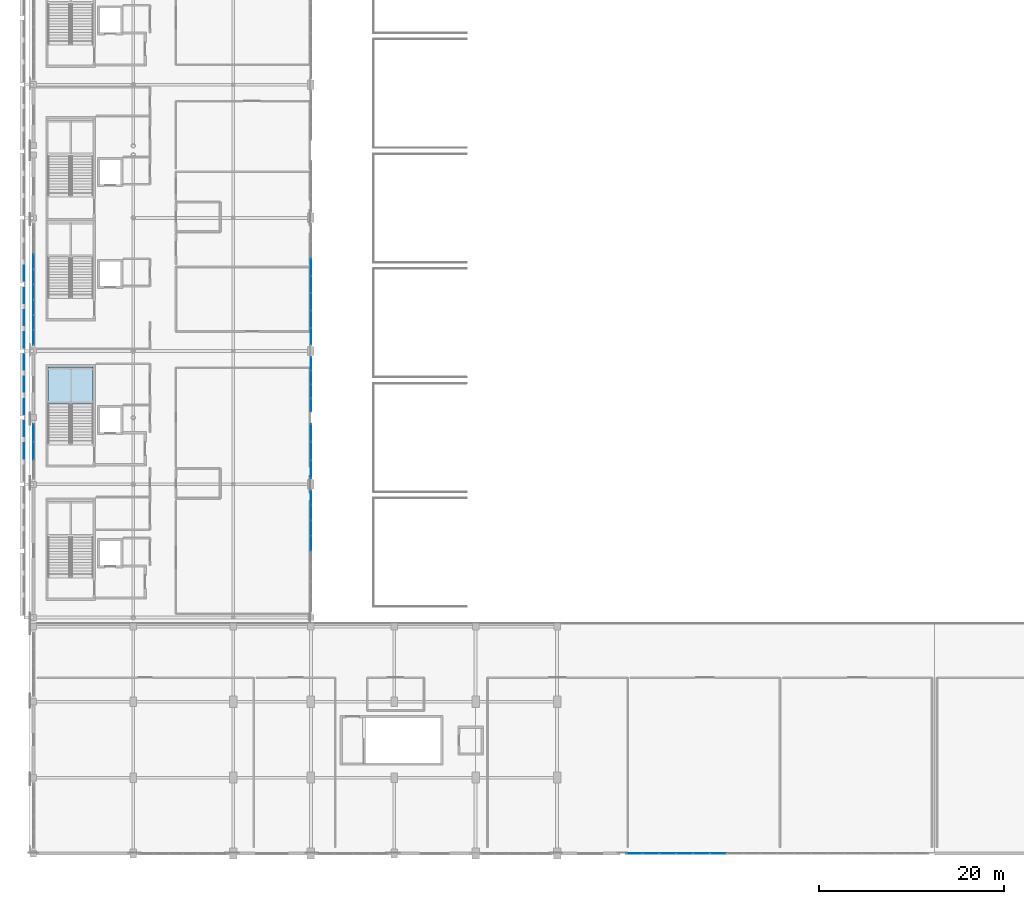
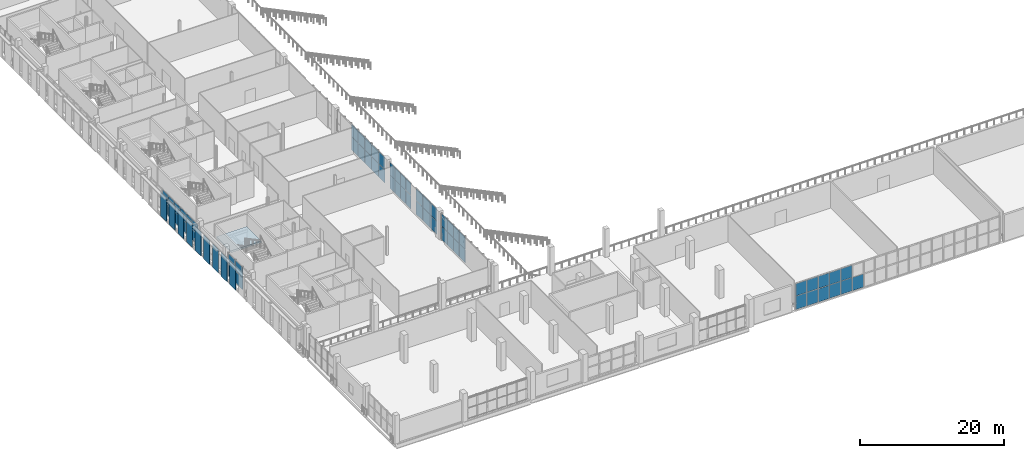
# One storey, part 53 of 104: 68 plates, 1 slab, 8 elements without a shape of their own.
"""IFC4 building model written with IfcOpenShell, lengths in metres."""

from ifc_helpers import new_model, si_unit, direction, frame, origin, origin_2d, place, context, subcontext, project, spatial, polyline, rectangle, outline, extrude, material, layer, layer_set, type_object, element, aggregate, save


model = new_model("IFC4")

# Units and contexts
model_context = context("Model", 3, precision=1e-05, world=origin(), true_north=direction((0.0, 1.0)))
body_context = subcontext(model_context, "Body", "Model", "MODEL_VIEW")
ifc_project = project(units=[si_unit("LENGTHUNIT", "METRE"), si_unit("AREAUNIT", "SQUARE_METRE"), si_unit("VOLUMEUNIT", "CUBIC_METRE"), si_unit("PLANEANGLEUNIT", "RADIAN"), si_unit("MASSUNIT", "GRAM", prefix="KILO")], contexts=[model_context])

# Site, building, storey
site_placement = place(None, origin())
site = spatial("IfcSite", under=ifc_project, at=site_placement, CompositionType="ELEMENT")
building_placement = place(site_placement, origin())
building = spatial("IfcBuilding", under=site, at=building_placement, Name="Koshinbarg Plaza Stadium", CompositionType="ELEMENT")
storey_placement = place(building_placement, frame((0.0, 0.0, 19.800048828125)))
storey = spatial("IfcBuildingStorey", under=building, at=storey_placement, Name="L04", CompositionType="ELEMENT", Elevation=19.800048828125)

# Curtain wall, plates
ifc_material_1 = material(Name="Thermally broken anodised aluminium and low-E double glazing", Category="aluminium")
curtain_wall_type_1 = type_object("IfcCurtainWallType", Name="CW-SYS-15", PredefinedType="NOTDEFINED", material=ifc_material_1)
curtain_wall_1_placement = place(storey_placement, origin())
curtain_wall_1 = element("IfcCurtainWall", 1, at=curtain_wall_1_placement, inside=storey, type_object=curtain_wall_type_1, Name="L04 unitised curtain wall CW-L04-094", PredefinedType="NOTDEFINED")
ifc_material_2 = material(Name="Solar-control low-E double glazing unit", Category="glass")
ifc_layer_1 = layer(ifc_material_2, 0.028076171875)
ifc_layer_set_1 = layer_set([ifc_layer_1], Name="Solar-control low-E double glazing unit")
plate_type_1 = type_object("IfcPlateType", Name="CW-PNL-28", PredefinedType="CURTAIN_PANEL", material=ifc_layer_set_1)
plate_1_placement = place(storey_placement, frame((24.60009765625, 55.757568359375, 0.06005859375), z_axis=(0.0, 0.0, 1.0), x_axis=(0.0, 1.0, 0.0)))
plate_1 = element("IfcPlate", 2, at=plate_1_placement, type_object=plate_type_1, Name="CW15 panel 1.1", PredefinedType="CURTAIN_PANEL", context=body_context, shape_type="SweptSolid", body=[
    extrude(rectangle(XDim=1.554931640625, YDim=0.028076171875, at=origin_2d()), origin(), (0.0, 0.0, 1.0), 1.771484375),
])
plate_2_placement = place(storey_placement, frame((24.60009765625, 55.757568359375, 1.8916015625), z_axis=(0.0, 0.0, 1.0), x_axis=(0.0, 1.0, 0.0)))
plate_2 = element("IfcPlate", 3, at=plate_2_placement, type_object=plate_type_1, Name="CW15 panel 1.2", PredefinedType="CURTAIN_PANEL", context=body_context, shape_type="SweptSolid", body=[
    extrude(rectangle(XDim=1.554931640625, YDim=0.028076171875, at=origin_2d()), origin(), (0.0, 0.0, 1.0), 1.62841796875),
])
plate_3_placement = place(storey_placement, frame((24.60009765625, 57.387451171875, 0.06005859375), z_axis=(0.0, 0.0, 1.0), x_axis=(0.0, 1.0, 0.0)))
plate_3 = element("IfcPlate", 4, at=plate_3_placement, type_object=plate_type_1, Name="CW15 panel 2.1", PredefinedType="CURTAIN_PANEL", context=body_context, shape_type="SweptSolid", body=[
    extrude(rectangle(XDim=1.5849609375, YDim=0.028076171875, at=origin_2d()), origin(), (0.0, 0.0, 1.0), 1.771484375),
])
plate_4_placement = place(storey_placement, frame((24.60009765625, 57.387451171875, 1.8916015625), z_axis=(0.0, 0.0, 1.0), x_axis=(0.0, 1.0, 0.0)))
plate_4 = element("IfcPlate", 5, at=plate_4_placement, type_object=plate_type_1, Name="CW15 panel 2.2", PredefinedType="CURTAIN_PANEL", context=body_context, shape_type="SweptSolid", body=[
    extrude(rectangle(XDim=1.5849609375, YDim=0.028076171875, at=origin_2d()), origin(), (0.0, 0.0, 1.0), 1.62841796875),
])
plate_5_placement = place(storey_placement, frame((24.60009765625, 59.032470703125, 0.06005859375), z_axis=(0.0, 0.0, 1.0), x_axis=(0.0, 1.0, 0.0)))
plate_5 = element("IfcPlate", 6, at=plate_5_placement, type_object=plate_type_1, Name="CW15 panel 3.1", PredefinedType="CURTAIN_PANEL", context=body_context, shape_type="SweptSolid", body=[
    extrude(rectangle(XDim=1.5849609375, YDim=0.028076171875, at=origin_2d()), origin(), (0.0, 0.0, 1.0), 1.771484375),
])
plate_6_placement = place(storey_placement, frame((24.60009765625, 59.032470703125, 1.8916015625), z_axis=(0.0, 0.0, 1.0), x_axis=(0.0, 1.0, 0.0)))
plate_6 = element("IfcPlate", 7, at=plate_6_placement, type_object=plate_type_1, Name="CW15 panel 3.2", PredefinedType="CURTAIN_PANEL", context=body_context, shape_type="SweptSolid", body=[
    extrude(rectangle(XDim=1.5849609375, YDim=0.028076171875, at=origin_2d()), origin(), (0.0, 0.0, 1.0), 1.62841796875),
])
plate_7_placement = place(storey_placement, frame((24.60009765625, 60.677490234375, 0.06005859375), z_axis=(0.0, 0.0, 1.0), x_axis=(0.0, 1.0, 0.0)))
plate_7 = element("IfcPlate", 8, at=plate_7_placement, type_object=plate_type_1, Name="CW15 panel 4.1", PredefinedType="CURTAIN_PANEL", context=body_context, shape_type="SweptSolid", body=[
    extrude(rectangle(XDim=1.5849609375, YDim=0.028076171875, at=origin_2d()), origin(), (0.0, 0.0, 1.0), 1.771484375),
])
plate_8_placement = place(storey_placement, frame((24.60009765625, 60.677490234375, 1.8916015625), z_axis=(0.0, 0.0, 1.0), x_axis=(0.0, 1.0, 0.0)))
plate_8 = element("IfcPlate", 9, at=plate_8_placement, type_object=plate_type_1, Name="CW15 panel 4.2", PredefinedType="CURTAIN_PANEL", context=body_context, shape_type="SweptSolid", body=[
    extrude(rectangle(XDim=1.5849609375, YDim=0.028076171875, at=origin_2d()), origin(), (0.0, 0.0, 1.0), 1.62841796875),
])
plate_9_placement = place(storey_placement, frame((24.60009765625, 62.322509765625, 0.06005859375), z_axis=(0.0, 0.0, 1.0), x_axis=(0.0, 1.0, 0.0)))
plate_9 = element("IfcPlate", 10, at=plate_9_placement, type_object=plate_type_1, Name="CW15 panel 5.1", PredefinedType="CURTAIN_PANEL", context=body_context, shape_type="SweptSolid", body=[
    extrude(rectangle(XDim=1.5849609375, YDim=0.028076171875, at=origin_2d()), origin(), (0.0, 0.0, 1.0), 1.771484375),
])
plate_10_placement = place(storey_placement, frame((24.60009765625, 62.322509765625, 1.8916015625), z_axis=(0.0, 0.0, 1.0), x_axis=(0.0, 1.0, 0.0)))
plate_10 = element("IfcPlate", 11, at=plate_10_placement, type_object=plate_type_1, Name="CW15 panel 5.2", PredefinedType="CURTAIN_PANEL", context=body_context, shape_type="SweptSolid", body=[
    extrude(rectangle(XDim=1.5849609375, YDim=0.028076171875, at=origin_2d()), origin(), (0.0, 0.0, 1.0), 1.62841796875),
])
plate_11_placement = place(storey_placement, frame((24.60009765625, 63.967529296875, 0.06005859375), z_axis=(0.0, 0.0, 1.0), x_axis=(0.0, 1.0, 0.0)))
plate_11 = element("IfcPlate", 12, at=plate_11_placement, type_object=plate_type_1, Name="CW15 panel 6.1", PredefinedType="CURTAIN_PANEL", context=body_context, shape_type="SweptSolid", body=[
    extrude(rectangle(XDim=1.5849609375, YDim=0.028076171875, at=origin_2d()), origin(), (0.0, 0.0, 1.0), 1.771484375),
])
plate_12_placement = place(storey_placement, frame((24.60009765625, 63.967529296875, 1.8916015625), z_axis=(0.0, 0.0, 1.0), x_axis=(0.0, 1.0, 0.0)))
plate_12 = element("IfcPlate", 13, at=plate_12_placement, type_object=plate_type_1, Name="CW15 panel 6.2", PredefinedType="CURTAIN_PANEL", context=body_context, shape_type="SweptSolid", body=[
    extrude(rectangle(XDim=1.5849609375, YDim=0.028076171875, at=origin_2d()), origin(), (0.0, 0.0, 1.0), 1.62841796875),
])
aggregate(curtain_wall_1, [plate_1, plate_2, plate_3, plate_4, plate_5, plate_6, plate_7, plate_8, plate_9, plate_10, plate_11, plate_12])

curtain_wall_type_2 = type_object("IfcCurtainWallType", Name="CW-SYS-07", PredefinedType="NOTDEFINED", material=ifc_material_1)
curtain_wall_2_placement = place(storey_placement, origin())
curtain_wall_2 = element("IfcCurtainWall", 14, at=curtain_wall_2_placement, inside=storey, type_object=curtain_wall_type_2, Name="L04 unitised curtain wall CW-L04-118", PredefinedType="NOTDEFINED")
plate_13_placement = place(storey_placement, frame((54.60009765625, 52.919921875, 0.06005859375), z_axis=(0.0, 0.0, 1.0), x_axis=(0.0, -1.0, 0.0)))
plate_13 = element("IfcPlate", 15, at=plate_13_placement, type_object=plate_type_1, Name="CW07 panel 1.1", PredefinedType="CURTAIN_PANEL", context=body_context, shape_type="SweptSolid", body=[
    extrude(rectangle(XDim=1.39990234375, YDim=0.028076171875, at=origin_2d()), origin(), (0.0, 0.0, 1.0), 2.239501953125),
])
plate_14_placement = place(storey_placement, frame((54.60009765625, 52.919921875, 2.359375), z_axis=(0.0, 0.0, 1.0), x_axis=(0.0, -1.0, 0.0)))
plate_14 = element("IfcPlate", 16, at=plate_14_placement, type_object=plate_type_1, Name="CW07 panel 1.2", PredefinedType="CURTAIN_PANEL", context=body_context, shape_type="SweptSolid", body=[
    extrude(rectangle(XDim=1.39990234375, YDim=0.028076171875, at=origin_2d()), origin(), (0.0, 0.0, 1.0), 2.060302734375),
])
plate_15_placement = place(storey_placement, frame((54.60009765625, 51.445068359375, 0.06005859375), z_axis=(0.0, 0.0, 1.0), x_axis=(0.0, -1.0, 0.0)))
plate_15 = element("IfcPlate", 17, at=plate_15_placement, type_object=plate_type_1, Name="CW07 panel 2.1", PredefinedType="CURTAIN_PANEL", context=body_context, shape_type="SweptSolid", body=[
    extrude(rectangle(XDim=1.429931640625, YDim=0.028076171875, at=origin_2d()), origin(), (0.0, 0.0, 1.0), 2.239501953125),
])
plate_16_placement = place(storey_placement, frame((54.60009765625, 51.445068359375, 2.359375), z_axis=(0.0, 0.0, 1.0), x_axis=(0.0, -1.0, 0.0)))
plate_16 = element("IfcPlate", 18, at=plate_16_placement, type_object=plate_type_1, Name="CW07 panel 2.2", PredefinedType="CURTAIN_PANEL", context=body_context, shape_type="SweptSolid", body=[
    extrude(rectangle(XDim=1.429931640625, YDim=0.028076171875, at=origin_2d()), origin(), (0.0, 0.0, 1.0), 2.060302734375),
])
plate_17_placement = place(storey_placement, frame((54.60009765625, 49.955078125, 0.06005859375), z_axis=(0.0, 0.0, 1.0), x_axis=(0.0, -1.0, 0.0)))
plate_17 = element("IfcPlate", 19, at=plate_17_placement, type_object=plate_type_1, Name="CW07 panel 3.1", PredefinedType="CURTAIN_PANEL", context=body_context, shape_type="SweptSolid", body=[
    extrude(rectangle(XDim=1.429931640625, YDim=0.028076171875, at=origin_2d()), origin(), (0.0, 0.0, 1.0), 2.239501953125),
])
plate_18_placement = place(storey_placement, frame((54.60009765625, 49.955078125, 2.359375), z_axis=(0.0, 0.0, 1.0), x_axis=(0.0, -1.0, 0.0)))
plate_18 = element("IfcPlate", 20, at=plate_18_placement, type_object=plate_type_1, Name="CW07 panel 3.2", PredefinedType="CURTAIN_PANEL", context=body_context, shape_type="SweptSolid", body=[
    extrude(rectangle(XDim=1.429931640625, YDim=0.028076171875, at=origin_2d()), origin(), (0.0, 0.0, 1.0), 2.060302734375),
])
plate_19_placement = place(storey_placement, frame((54.60009765625, 48.47998046875, 0.06005859375), z_axis=(0.0, 0.0, 1.0), x_axis=(0.0, -1.0, 0.0)))
plate_19 = element("IfcPlate", 21, at=plate_19_placement, type_object=plate_type_1, Name="CW07 panel 4.1", PredefinedType="CURTAIN_PANEL", context=body_context, shape_type="SweptSolid", body=[
    extrude(rectangle(XDim=1.39990234375, YDim=0.028076171875, at=origin_2d()), origin(), (0.0, 0.0, 1.0), 2.239501953125),
])
plate_20_placement = place(storey_placement, frame((54.60009765625, 48.47998046875, 2.359375), z_axis=(0.0, 0.0, 1.0), x_axis=(0.0, -1.0, 0.0)))
plate_20 = element("IfcPlate", 22, at=plate_20_placement, type_object=plate_type_1, Name="CW07 panel 4.2", PredefinedType="CURTAIN_PANEL", context=body_context, shape_type="SweptSolid", body=[
    extrude(rectangle(XDim=1.39990234375, YDim=0.028076171875, at=origin_2d()), origin(), (0.0, 0.0, 1.0), 2.060302734375),
])
aggregate(curtain_wall_2, [plate_13, plate_14, plate_15, plate_16, plate_17, plate_18, plate_19, plate_20])

curtain_wall_type_3 = type_object("IfcCurtainWallType", Name="CW-SYS-09", PredefinedType="NOTDEFINED", material=ifc_material_1)
curtain_wall_3_placement = place(storey_placement, origin())
curtain_wall_3 = element("IfcCurtainWall", 23, at=curtain_wall_3_placement, inside=storey, type_object=curtain_wall_type_3, Name="L04 unitised curtain wall CW-L04-120", PredefinedType="NOTDEFINED")
plate_21_placement = place(storey_placement, frame((54.60009765625, 38.4423828125, 0.06005859375), z_axis=(0.0, 0.0, 1.0), x_axis=(0.0, -1.0, 0.0)))
plate_21 = element("IfcPlate", 24, at=plate_21_placement, type_object=plate_type_1, Name="CW09 panel 1.1", PredefinedType="CURTAIN_PANEL", context=body_context, shape_type="SweptSolid", body=[
    extrude(rectangle(XDim=1.554931640625, YDim=0.028076171875, at=origin_2d()), origin(), (0.0, 0.0, 1.0), 2.239501953125),
])
plate_22_placement = place(storey_placement, frame((54.60009765625, 38.4423828125, 2.359375), z_axis=(0.0, 0.0, 1.0), x_axis=(0.0, -1.0, 0.0)))
plate_22 = element("IfcPlate", 25, at=plate_22_placement, type_object=plate_type_1, Name="CW09 panel 1.2", PredefinedType="CURTAIN_PANEL", context=body_context, shape_type="SweptSolid", body=[
    extrude(rectangle(XDim=1.554931640625, YDim=0.028076171875, at=origin_2d()), origin(), (0.0, 0.0, 1.0), 2.060302734375),
])
plate_23_placement = place(storey_placement, frame((54.60009765625, 36.8125, 0.06005859375), z_axis=(0.0, 0.0, 1.0), x_axis=(0.0, -1.0, 0.0)))
plate_23 = element("IfcPlate", 26, at=plate_23_placement, type_object=plate_type_1, Name="CW09 panel 2.1", PredefinedType="CURTAIN_PANEL", context=body_context, shape_type="SweptSolid", body=[
    extrude(rectangle(XDim=1.5849609375, YDim=0.028076171875, at=origin_2d()), origin(), (0.0, 0.0, 1.0), 2.239501953125),
])
plate_24_placement = place(storey_placement, frame((54.60009765625, 36.8125, 2.359375), z_axis=(0.0, 0.0, 1.0), x_axis=(0.0, -1.0, 0.0)))
plate_24 = element("IfcPlate", 27, at=plate_24_placement, type_object=plate_type_1, Name="CW09 panel 2.2", PredefinedType="CURTAIN_PANEL", context=body_context, shape_type="SweptSolid", body=[
    extrude(rectangle(XDim=1.5849609375, YDim=0.028076171875, at=origin_2d()), origin(), (0.0, 0.0, 1.0), 2.060302734375),
])
plate_25_placement = place(storey_placement, frame((54.60009765625, 35.16748046875, 0.06005859375), z_axis=(0.0, 0.0, 1.0), x_axis=(0.0, -1.0, 0.0)))
plate_25 = element("IfcPlate", 28, at=plate_25_placement, type_object=plate_type_1, Name="CW09 panel 3.1", PredefinedType="CURTAIN_PANEL", context=body_context, shape_type="SweptSolid", body=[
    extrude(rectangle(XDim=1.5849609375, YDim=0.028076171875, at=origin_2d()), origin(), (0.0, 0.0, 1.0), 2.239501953125),
])
plate_26_placement = place(storey_placement, frame((54.60009765625, 35.16748046875, 2.359375), z_axis=(0.0, 0.0, 1.0), x_axis=(0.0, -1.0, 0.0)))
plate_26 = element("IfcPlate", 29, at=plate_26_placement, type_object=plate_type_1, Name="CW09 panel 3.2", PredefinedType="CURTAIN_PANEL", context=body_context, shape_type="SweptSolid", body=[
    extrude(rectangle(XDim=1.5849609375, YDim=0.028076171875, at=origin_2d()), origin(), (0.0, 0.0, 1.0), 2.060302734375),
])
plate_27_placement = place(storey_placement, frame((54.60009765625, 33.5224609375, 0.06005859375), z_axis=(0.0, 0.0, 1.0), x_axis=(0.0, -1.0, 0.0)))
plate_27 = element("IfcPlate", 30, at=plate_27_placement, type_object=plate_type_1, Name="CW09 panel 4.1", PredefinedType="CURTAIN_PANEL", context=body_context, shape_type="SweptSolid", body=[
    extrude(rectangle(XDim=1.5849609375, YDim=0.028076171875, at=origin_2d()), origin(), (0.0, 0.0, 1.0), 2.239501953125),
])
plate_28_placement = place(storey_placement, frame((54.60009765625, 33.5224609375, 2.359375), z_axis=(0.0, 0.0, 1.0), x_axis=(0.0, -1.0, 0.0)))
plate_28 = element("IfcPlate", 31, at=plate_28_placement, type_object=plate_type_1, Name="CW09 panel 4.2", PredefinedType="CURTAIN_PANEL", context=body_context, shape_type="SweptSolid", body=[
    extrude(rectangle(XDim=1.5849609375, YDim=0.028076171875, at=origin_2d()), origin(), (0.0, 0.0, 1.0), 2.060302734375),
])
aggregate(curtain_wall_3, [plate_21, plate_22, plate_23, plate_24, plate_25, plate_26, plate_27, plate_28])

curtain_wall_type_4 = type_object("IfcCurtainWallType", Name="CW-SYS-14", PredefinedType="NOTDEFINED", material=ifc_material_1)
curtain_wall_4_placement = place(storey_placement, origin())
curtain_wall_4 = element("IfcCurtainWall", 32, at=curtain_wall_4_placement, inside=storey, type_object=curtain_wall_type_4, Name="L04 unitised curtain wall CW-L04-093", PredefinedType="NOTDEFINED")
ifc_material_3 = material(Name="Acoustic solar-control double glazing unit", Category="glass")
ifc_layer_2 = layer(ifc_material_3, 0.031982421875)
ifc_layer_set_2 = layer_set([ifc_layer_2], Name="Acoustic solar-control double glazing unit")
plate_type_2 = type_object("IfcPlateType", Name="CW-PNL-32", PredefinedType="CURTAIN_PANEL", material=ifc_layer_set_2)
plate_29_placement = place(storey_placement, frame((24.60009765625, 43.5, 0.06005859375), z_axis=(0.0, 0.0, 1.0), x_axis=(0.0, 1.0, 0.0)))
plate_29 = element("IfcPlate", 33, at=plate_29_placement, type_object=plate_type_2, Name="CW14 panel 2.1", PredefinedType="CURTAIN_PANEL", context=body_context, shape_type="SweptSolid", body=[
    extrude(rectangle(XDim=1.9267578125, YDim=0.031982421875, at=origin_2d()), origin(), (0.0, 0.0, 1.0), 1.927490234375),
])
plate_30_placement = place(storey_placement, frame((24.60009765625, 43.5, 2.047607421875), z_axis=(0.0, 0.0, 1.0), x_axis=(0.0, 1.0, 0.0)))
plate_30 = element("IfcPlate", 34, at=plate_30_placement, type_object=plate_type_2, Name="CW14 panel 2.2", PredefinedType="CURTAIN_PANEL", context=body_context, shape_type="SweptSolid", body=[
    extrude(rectangle(XDim=1.9267578125, YDim=0.031982421875, at=origin_2d()), origin(), (0.0, 0.0, 1.0), 1.7724609375),
])
plate_31_placement = place(storey_placement, frame((24.60009765625, 45.4716796875, 0.06005859375), z_axis=(0.0, 0.0, 1.0), x_axis=(0.0, 1.0, 0.0)))
plate_31 = element("IfcPlate", 35, at=plate_31_placement, type_object=plate_type_2, Name="CW14 panel 3.1", PredefinedType="CURTAIN_PANEL", context=body_context, shape_type="SweptSolid", body=[
    extrude(rectangle(XDim=1.896728515625, YDim=0.031982421875, at=origin_2d()), origin(), (0.0, 0.0, 1.0), 1.927490234375),
])
plate_32_placement = place(storey_placement, frame((24.60009765625, 45.4716796875, 2.047607421875), z_axis=(0.0, 0.0, 1.0), x_axis=(0.0, 1.0, 0.0)))
plate_32 = element("IfcPlate", 36, at=plate_32_placement, type_object=plate_type_2, Name="CW14 panel 3.2", PredefinedType="CURTAIN_PANEL", context=body_context, shape_type="SweptSolid", body=[
    extrude(rectangle(XDim=1.896728515625, YDim=0.031982421875, at=origin_2d()), origin(), (0.0, 0.0, 1.0), 1.7724609375),
])
aggregate(curtain_wall_4, [plate_29, plate_30, plate_31, plate_32])

curtain_wall_type_5 = type_object("IfcCurtainWallType", Name="CW-SYS-12", PredefinedType="NOTDEFINED", material=ifc_material_1)
curtain_wall_5_placement = place(storey_placement, origin())
curtain_wall_5 = element("IfcCurtainWall", 37, at=curtain_wall_5_placement, inside=storey, type_object=curtain_wall_type_5, Name="L04 unitised curtain wall CW-L04-107", PredefinedType="NOTDEFINED")
plate_33_placement = place(storey_placement, frame((98.6298828125, 0.0, 0.06005859375), z_axis=(0.0, 0.0, 1.0), x_axis=(-1.0, 0.0, 0.0)))
plate_33 = element("IfcPlate", 38, at=plate_33_placement, type_object=plate_type_2, Name="CW12 panel 13.1", PredefinedType="CURTAIN_PANEL", context=body_context, shape_type="SweptSolid", body=[
    extrude(rectangle(XDim=1.760009765625, YDim=0.031982421875, at=origin_2d()), origin(), (0.0, 0.0, 1.0), 2.239501953125),
])
plate_34_placement = place(storey_placement, frame((96.81005859375, 0.0, 0.06005859375), z_axis=(0.0, 0.0, 1.0), x_axis=(-1.0, 0.0, 0.0)))
plate_34 = element("IfcPlate", 39, at=plate_34_placement, type_object=plate_type_2, Name="CW12 panel 14.1", PredefinedType="CURTAIN_PANEL", context=body_context, shape_type="SweptSolid", body=[
    extrude(rectangle(XDim=1.760009765625, YDim=0.031982421875, at=origin_2d()), origin(), (0.0, 0.0, 1.0), 2.239501953125),
])
plate_35_placement = place(storey_placement, frame((96.81005859375, 0.0, 2.359375), z_axis=(0.0, 0.0, 1.0), x_axis=(-1.0, 0.0, 0.0)))
plate_35 = element("IfcPlate", 40, at=plate_35_placement, type_object=plate_type_2, Name="CW12 panel 14.2", PredefinedType="CURTAIN_PANEL", context=body_context, shape_type="SweptSolid", body=[
    extrude(rectangle(XDim=1.760009765625, YDim=0.031982421875, at=origin_2d()), origin(), (0.0, 0.0, 1.0), 2.060302734375),
])
plate_36_placement = place(storey_placement, frame((94.989990234375, 0.0, 0.06005859375), z_axis=(0.0, 0.0, 1.0), x_axis=(-1.0, 0.0, 0.0)))
plate_36 = element("IfcPlate", 41, at=plate_36_placement, type_object=plate_type_2, Name="CW12 panel 15.1", PredefinedType="CURTAIN_PANEL", context=body_context, shape_type="SweptSolid", body=[
    extrude(rectangle(XDim=1.760009765625, YDim=0.031982421875, at=origin_2d()), origin(), (0.0, 0.0, 1.0), 2.239501953125),
])
plate_37_placement = place(storey_placement, frame((94.989990234375, 0.0, 2.359375), z_axis=(0.0, 0.0, 1.0), x_axis=(-1.0, 0.0, 0.0)))
plate_37 = element("IfcPlate", 42, at=plate_37_placement, type_object=plate_type_2, Name="CW12 panel 15.2", PredefinedType="CURTAIN_PANEL", context=body_context, shape_type="SweptSolid", body=[
    extrude(rectangle(XDim=1.760009765625, YDim=0.031982421875, at=origin_2d()), origin(), (0.0, 0.0, 1.0), 2.060302734375),
])
plate_38_placement = place(storey_placement, frame((93.169921875, 0.0, 0.06005859375), z_axis=(0.0, 0.0, 1.0), x_axis=(-1.0, 0.0, 0.0)))
plate_38 = element("IfcPlate", 43, at=plate_38_placement, type_object=plate_type_2, Name="CW12 panel 16.1", PredefinedType="CURTAIN_PANEL", context=body_context, shape_type="SweptSolid", body=[
    extrude(rectangle(XDim=1.760009765625, YDim=0.031982421875, at=origin_2d()), origin(), (0.0, 0.0, 1.0), 2.239501953125),
])
plate_39_placement = place(storey_placement, frame((93.169921875, 0.0, 2.359375), z_axis=(0.0, 0.0, 1.0), x_axis=(-1.0, 0.0, 0.0)))
plate_39 = element("IfcPlate", 44, at=plate_39_placement, type_object=plate_type_2, Name="CW12 panel 16.2", PredefinedType="CURTAIN_PANEL", context=body_context, shape_type="SweptSolid", body=[
    extrude(rectangle(XDim=1.760009765625, YDim=0.031982421875, at=origin_2d()), origin(), (0.0, 0.0, 1.0), 2.060302734375),
])
plate_40_placement = place(storey_placement, frame((91.35009765625, 0.0, 0.06005859375), z_axis=(0.0, 0.0, 1.0), x_axis=(-1.0, 0.0, 0.0)))
plate_40 = element("IfcPlate", 45, at=plate_40_placement, type_object=plate_type_2, Name="CW12 panel 17.1", PredefinedType="CURTAIN_PANEL", context=body_context, shape_type="SweptSolid", body=[
    extrude(rectangle(XDim=1.760009765625, YDim=0.031982421875, at=origin_2d()), origin(), (0.0, 0.0, 1.0), 2.239501953125),
])
plate_41_placement = place(storey_placement, frame((91.35009765625, 0.0, 2.359375), z_axis=(0.0, 0.0, 1.0), x_axis=(-1.0, 0.0, 0.0)))
plate_41 = element("IfcPlate", 46, at=plate_41_placement, type_object=plate_type_2, Name="CW12 panel 17.2", PredefinedType="CURTAIN_PANEL", context=body_context, shape_type="SweptSolid", body=[
    extrude(rectangle(XDim=1.760009765625, YDim=0.031982421875, at=origin_2d()), origin(), (0.0, 0.0, 1.0), 2.060302734375),
])
plate_42_placement = place(storey_placement, frame((89.544921875, 0.0, 0.06005859375), z_axis=(0.0, 0.0, 1.0), x_axis=(-1.0, 0.0, 0.0)))
plate_42 = element("IfcPlate", 47, at=plate_42_placement, type_object=plate_type_2, Name="CW12 panel 18.1", PredefinedType="CURTAIN_PANEL", context=body_context, shape_type="SweptSolid", body=[
    extrude(rectangle(XDim=1.72998046875, YDim=0.031982421875, at=origin_2d()), origin(), (0.0, 0.0, 1.0), 2.239501953125),
])
plate_43_placement = place(storey_placement, frame((89.544921875, 0.0, 2.359375), z_axis=(0.0, 0.0, 1.0), x_axis=(-1.0, 0.0, 0.0)))
plate_43 = element("IfcPlate", 48, at=plate_43_placement, type_object=plate_type_2, Name="CW12 panel 18.2", PredefinedType="CURTAIN_PANEL", context=body_context, shape_type="SweptSolid", body=[
    extrude(rectangle(XDim=1.72998046875, YDim=0.031982421875, at=origin_2d()), origin(), (0.0, 0.0, 1.0), 2.060302734375),
])
aggregate(curtain_wall_5, [plate_33, plate_34, plate_35, plate_36, plate_37, plate_38, plate_39, plate_40, plate_41, plate_42, plate_43])

curtain_wall_type_6 = type_object("IfcCurtainWallType", Name="CW-SYS-06", PredefinedType="NOTDEFINED", material=ifc_material_1)
curtain_wall_6_placement = place(storey_placement, origin())
curtain_wall_6 = element("IfcCurtainWall", 49, at=curtain_wall_6_placement, inside=storey, type_object=curtain_wall_type_6, Name="L04 unitised curtain wall CW-L04-117", PredefinedType="NOTDEFINED")
plate_44_placement = place(storey_placement, frame((54.60009765625, 63.3798828125, 0.06005859375), z_axis=(0.0, 0.0, 1.0), x_axis=(0.0, -1.0, 0.0)))
plate_44 = element("IfcPlate", 50, at=plate_44_placement, type_object=plate_type_2, Name="CW06 panel 3.1", PredefinedType="CURTAIN_PANEL", context=body_context, shape_type="SweptSolid", body=[
    extrude(rectangle(XDim=1.820068359375, YDim=0.031982421875, at=origin_2d()), origin(), (0.0, 0.0, 1.0), 2.239501953125),
])
plate_45_placement = place(storey_placement, frame((54.60009765625, 63.3798828125, 2.359375), z_axis=(0.0, 0.0, 1.0), x_axis=(0.0, -1.0, 0.0)))
plate_45 = element("IfcPlate", 51, at=plate_45_placement, type_object=plate_type_2, Name="CW06 panel 3.2", PredefinedType="CURTAIN_PANEL", context=body_context, shape_type="SweptSolid", body=[
    extrude(rectangle(XDim=1.820068359375, YDim=0.031982421875, at=origin_2d()), origin(), (0.0, 0.0, 1.0), 2.060302734375),
])
plate_46_placement = place(storey_placement, frame((54.60009765625, 61.5, 0.06005859375), z_axis=(0.0, 0.0, 1.0), x_axis=(0.0, -1.0, 0.0)))
plate_46 = element("IfcPlate", 52, at=plate_46_placement, type_object=plate_type_2, Name="CW06 panel 4.1", PredefinedType="CURTAIN_PANEL", context=body_context, shape_type="SweptSolid", body=[
    extrude(rectangle(XDim=1.820068359375, YDim=0.031982421875, at=origin_2d()), origin(), (0.0, 0.0, 1.0), 2.239501953125),
])
plate_47_placement = place(storey_placement, frame((54.60009765625, 61.5, 2.359375), z_axis=(0.0, 0.0, 1.0), x_axis=(0.0, -1.0, 0.0)))
plate_47 = element("IfcPlate", 53, at=plate_47_placement, type_object=plate_type_2, Name="CW06 panel 4.2", PredefinedType="CURTAIN_PANEL", context=body_context, shape_type="SweptSolid", body=[
    extrude(rectangle(XDim=1.820068359375, YDim=0.031982421875, at=origin_2d()), origin(), (0.0, 0.0, 1.0), 2.060302734375),
])
plate_48_placement = place(storey_placement, frame((54.60009765625, 59.6201171875, 0.06005859375), z_axis=(0.0, 0.0, 1.0), x_axis=(0.0, -1.0, 0.0)))
plate_48 = element("IfcPlate", 54, at=plate_48_placement, type_object=plate_type_2, Name="CW06 panel 5.1", PredefinedType="CURTAIN_PANEL", context=body_context, shape_type="SweptSolid", body=[
    extrude(rectangle(XDim=1.820068359375, YDim=0.031982421875, at=origin_2d()), origin(), (0.0, 0.0, 1.0), 2.239501953125),
])
plate_49_placement = place(storey_placement, frame((54.60009765625, 59.6201171875, 2.359375), z_axis=(0.0, 0.0, 1.0), x_axis=(0.0, -1.0, 0.0)))
plate_49 = element("IfcPlate", 55, at=plate_49_placement, type_object=plate_type_2, Name="CW06 panel 5.2", PredefinedType="CURTAIN_PANEL", context=body_context, shape_type="SweptSolid", body=[
    extrude(rectangle(XDim=1.820068359375, YDim=0.031982421875, at=origin_2d()), origin(), (0.0, 0.0, 1.0), 2.060302734375),
])
plate_50_placement = place(storey_placement, frame((54.60009765625, 57.739990234375, 0.06005859375), z_axis=(0.0, 0.0, 1.0), x_axis=(0.0, -1.0, 0.0)))
plate_50 = element("IfcPlate", 56, at=plate_50_placement, type_object=plate_type_2, Name="CW06 panel 6.1", PredefinedType="CURTAIN_PANEL", context=body_context, shape_type="SweptSolid", body=[
    extrude(rectangle(XDim=1.820068359375, YDim=0.031982421875, at=origin_2d()), origin(), (0.0, 0.0, 1.0), 2.239501953125),
])
plate_51_placement = place(storey_placement, frame((54.60009765625, 57.739990234375, 2.359375), z_axis=(0.0, 0.0, 1.0), x_axis=(0.0, -1.0, 0.0)))
plate_51 = element("IfcPlate", 57, at=plate_51_placement, type_object=plate_type_2, Name="CW06 panel 6.2", PredefinedType="CURTAIN_PANEL", context=body_context, shape_type="SweptSolid", body=[
    extrude(rectangle(XDim=1.820068359375, YDim=0.031982421875, at=origin_2d()), origin(), (0.0, 0.0, 1.0), 2.060302734375),
])
plate_52_placement = place(storey_placement, frame((54.60009765625, 55.875, 0.06005859375), z_axis=(0.0, 0.0, 1.0), x_axis=(0.0, -1.0, 0.0)))
plate_52 = element("IfcPlate", 58, at=plate_52_placement, type_object=plate_type_2, Name="CW06 panel 7.1", PredefinedType="CURTAIN_PANEL", context=body_context, shape_type="SweptSolid", body=[
    extrude(rectangle(XDim=1.7900390625, YDim=0.031982421875, at=origin_2d()), origin(), (0.0, 0.0, 1.0), 2.239501953125),
])
plate_53_placement = place(storey_placement, frame((54.60009765625, 55.875, 2.359375), z_axis=(0.0, 0.0, 1.0), x_axis=(0.0, -1.0, 0.0)))
plate_53 = element("IfcPlate", 59, at=plate_53_placement, type_object=plate_type_2, Name="CW06 panel 7.2", PredefinedType="CURTAIN_PANEL", context=body_context, shape_type="SweptSolid", body=[
    extrude(rectangle(XDim=1.7900390625, YDim=0.031982421875, at=origin_2d()), origin(), (0.0, 0.0, 1.0), 2.060302734375),
])
aggregate(curtain_wall_6, [plate_44, plate_45, plate_46, plate_47, plate_48, plate_49, plate_50, plate_51, plate_52, plate_53])

curtain_wall_type_7 = type_object("IfcCurtainWallType", Name="CW-SYS-08", PredefinedType="NOTDEFINED", material=ifc_material_1)
curtain_wall_7_placement = place(storey_placement, origin())
curtain_wall_7 = element("IfcCurtainWall", 60, at=curtain_wall_7_placement, inside=storey, type_object=curtain_wall_type_7, Name="L04 unitised curtain wall CW-L04-119", PredefinedType="NOTDEFINED")
plate_54_placement = place(storey_placement, frame((54.60009765625, 45.4716796875, 0.06005859375), z_axis=(0.0, 0.0, 1.0), x_axis=(0.0, -1.0, 0.0)))
plate_54 = element("IfcPlate", 61, at=plate_54_placement, type_object=plate_type_2, Name="CW08 panel 1.1", PredefinedType="CURTAIN_PANEL", context=body_context, shape_type="SweptSolid", body=[
    extrude(rectangle(XDim=1.896728515625, YDim=0.031982421875, at=origin_2d()), origin(), (0.0, 0.0, 1.0), 2.239501953125),
])
plate_55_placement = place(storey_placement, frame((54.60009765625, 45.4716796875, 2.359375), z_axis=(0.0, 0.0, 1.0), x_axis=(0.0, -1.0, 0.0)))
plate_55 = element("IfcPlate", 62, at=plate_55_placement, type_object=plate_type_2, Name="CW08 panel 1.2", PredefinedType="CURTAIN_PANEL", context=body_context, shape_type="SweptSolid", body=[
    extrude(rectangle(XDim=1.896728515625, YDim=0.031982421875, at=origin_2d()), origin(), (0.0, 0.0, 1.0), 2.060302734375),
])
plate_56_placement = place(storey_placement, frame((54.60009765625, 43.5, 0.06005859375), z_axis=(0.0, 0.0, 1.0), x_axis=(0.0, -1.0, 0.0)))
plate_56 = element("IfcPlate", 63, at=plate_56_placement, type_object=plate_type_2, Name="CW08 panel 2.1", PredefinedType="CURTAIN_PANEL", context=body_context, shape_type="SweptSolid", body=[
    extrude(rectangle(XDim=1.9267578125, YDim=0.031982421875, at=origin_2d()), origin(), (0.0, 0.0, 1.0), 2.239501953125),
])
plate_57_placement = place(storey_placement, frame((54.60009765625, 43.5, 2.359375), z_axis=(0.0, 0.0, 1.0), x_axis=(0.0, -1.0, 0.0)))
plate_57 = element("IfcPlate", 64, at=plate_57_placement, type_object=plate_type_2, Name="CW08 panel 2.2", PredefinedType="CURTAIN_PANEL", context=body_context, shape_type="SweptSolid", body=[
    extrude(rectangle(XDim=1.9267578125, YDim=0.031982421875, at=origin_2d()), origin(), (0.0, 0.0, 1.0), 2.060302734375),
])
plate_58_placement = place(storey_placement, frame((54.60009765625, 41.5283203125, 0.06005859375), z_axis=(0.0, 0.0, 1.0), x_axis=(0.0, -1.0, 0.0)))
plate_58 = element("IfcPlate", 65, at=plate_58_placement, type_object=plate_type_2, Name="CW08 panel 3.1", PredefinedType="CURTAIN_PANEL", context=body_context, shape_type="SweptSolid", body=[
    extrude(rectangle(XDim=1.896728515625, YDim=0.031982421875, at=origin_2d()), origin(), (0.0, 0.0, 1.0), 2.239501953125),
])
plate_59_placement = place(storey_placement, frame((54.60009765625, 41.5283203125, 2.359375), z_axis=(0.0, 0.0, 1.0), x_axis=(0.0, -1.0, 0.0)))
plate_59 = element("IfcPlate", 66, at=plate_59_placement, type_object=plate_type_2, Name="CW08 panel 3.2", PredefinedType="CURTAIN_PANEL", context=body_context, shape_type="SweptSolid", body=[
    extrude(rectangle(XDim=1.896728515625, YDim=0.031982421875, at=origin_2d()), origin(), (0.0, 0.0, 1.0), 2.060302734375),
])
aggregate(curtain_wall_7, [plate_54, plate_55, plate_56, plate_57, plate_58, plate_59])

# Plates
ifc_material_4 = material(Name="Off-white mineral-coated perforated aluminium screen panel", Category="aluminium")
ifc_layer_3 = layer(ifc_material_4, 0.050048828125)
ifc_layer_set_3 = layer_set([ifc_layer_3], Name="Off-white mineral-coated perforated aluminium screen panel")
plate_type_3 = type_object("IfcPlateType", Name="PLT-SCR-50", PredefinedType="USERDEFINED", material=ifc_layer_set_3)
for number, where, z_axis, x_axis, name in (
    (67, (23.580078125, 43.5, 0.19970703125), (0.0, 0.0, 1.0), (1.0, 0.0, 0.0), "L04 off-white leaf-pierced outer screen panel 050"),
    (68, (23.580078125, 48.300048828125, 0.19970703125), (0.0, 0.0, 1.0), (1.0, 0.0, 0.0), "L04 off-white leaf-pierced outer screen panel 052"),
    (69, (23.580078125, 53.10009765625, 0.19970703125), (0.0, 0.0, 1.0), (1.0, 0.0, 0.0), "L04 off-white leaf-pierced outer screen panel 054"),
    (70, (23.580078125, 57.89990234375, 0.19970703125), (0.0, 0.0, 1.0), (1.0, 0.0, 0.0), "L04 off-white leaf-pierced outer screen panel 056"),
    (71, (23.580078125, 62.699951171875, 0.19970703125), (0.0, 0.0, 1.0), (1.0, 0.0, 0.0), "L04 off-white leaf-pierced outer screen panel 058"),
):
    element("IfcPlate", number, at=place(storey_placement, frame(where, z_axis=z_axis, x_axis=x_axis)), inside=storey, type_object=plate_type_3, Name=name, ObjectType="SCREEN PANEL", PredefinedType="USERDEFINED", context=body_context, shape_type="SweptSolid", body=[
        extrude(rectangle(XDim=0.050048828125, YDim=1.632080078125, at=origin_2d()), origin(), (0.0, 0.0, 1.0), 4.030029296875),
    ])
ifc_material_5 = material(Name="Off-white mineral-coated leaf-aperture GRC screen panel")
ifc_layer_4 = layer(ifc_material_5, 0.06005859375)
ifc_layer_set_4 = layer_set([ifc_layer_4], Name="Off-white mineral-coated leaf-aperture GRC screen panel")
plate_type_4 = type_object("IfcPlateType", Name="PLT-SCR-60", PredefinedType="USERDEFINED", material=ifc_layer_set_4)
for number, where, z_axis, x_axis, name in (
    (72, (23.574951171875, 45.89990234375, 0.19970703125), (0.0, 0.0, 1.0), (1.0, 0.0, 0.0), "L04 off-white leaf-pierced outer screen panel 051"),
    (73, (23.574951171875, 50.699951171875, 0.19970703125), (0.0, 0.0, 1.0), (1.0, 0.0, 0.0), "L04 off-white leaf-pierced outer screen panel 053"),
    (74, (23.574951171875, 55.5, 0.19970703125), (0.0, 0.0, 1.0), (1.0, 0.0, 0.0), "L04 off-white leaf-pierced outer screen panel 055"),
    (75, (23.574951171875, 60.300048828125, 0.19970703125), (0.0, 0.0, 1.0), (1.0, 0.0, 0.0), "L04 off-white leaf-pierced outer screen panel 057"),
):
    element("IfcPlate", number, at=place(storey_placement, frame(where, z_axis=z_axis, x_axis=x_axis)), inside=storey, type_object=plate_type_4, Name=name, ObjectType="SCREEN PANEL", PredefinedType="USERDEFINED", context=body_context, shape_type="SweptSolid", body=[
        extrude(rectangle(XDim=0.06005859375, YDim=1.632080078125, at=origin_2d()), origin(), (0.0, 0.0, 1.0), 4.030029296875),
    ])

# Stair, slab
ifc_material_6 = material(Name="Concrete C35/45", Category="concrete")
stair_type = type_object("IfcStairType", Name="ST-CORE-48", PredefinedType="HALF_TURN_STAIR", material=ifc_material_6)
stair_placement = place(storey_placement, origin())
stair = element("IfcStair", 76, at=stair_placement, inside=storey, type_object=stair_type, Name="L04 Protected Exit Stair C02", PredefinedType="HALF_TURN_STAIR")
ifc_layer_5 = layer(ifc_material_6, 0.320068359375)
ifc_layer_set_5 = layer_set([ifc_layer_5], Name="Concrete C35/45")
slab_type = type_object("IfcSlabType", Name="SL-STLAND-280", PredefinedType="LANDING", material=ifc_layer_set_5)
slab_placement = place(storey_placement, frame((0.0, 0.0, 2.079833984375)))
slab = element("IfcSlab", 77, at=slab_placement, type_object=slab_type, Name="L04 Protected Exit Stair C02 landing 011", PredefinedType="LANDING", context=body_context, shape_type="SweptSolid", body=[
    extrude(outline(polyline([(31.070068359375, 48.56005859375), (31.070068359375, 52.60009765625), (26.199951171875, 52.60009765625), (26.199951171875, 48.56005859375), (31.070068359375, 48.56005859375)])), origin(), (0.0, 0.0, 1.0), 0.320068359375),
])
aggregate(stair, [slab])

save(model, "model.ifc")
